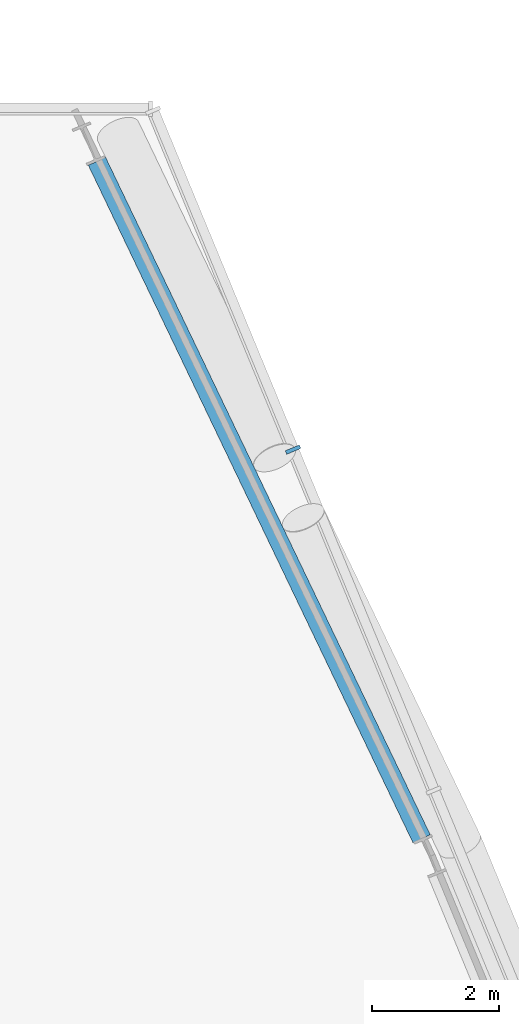
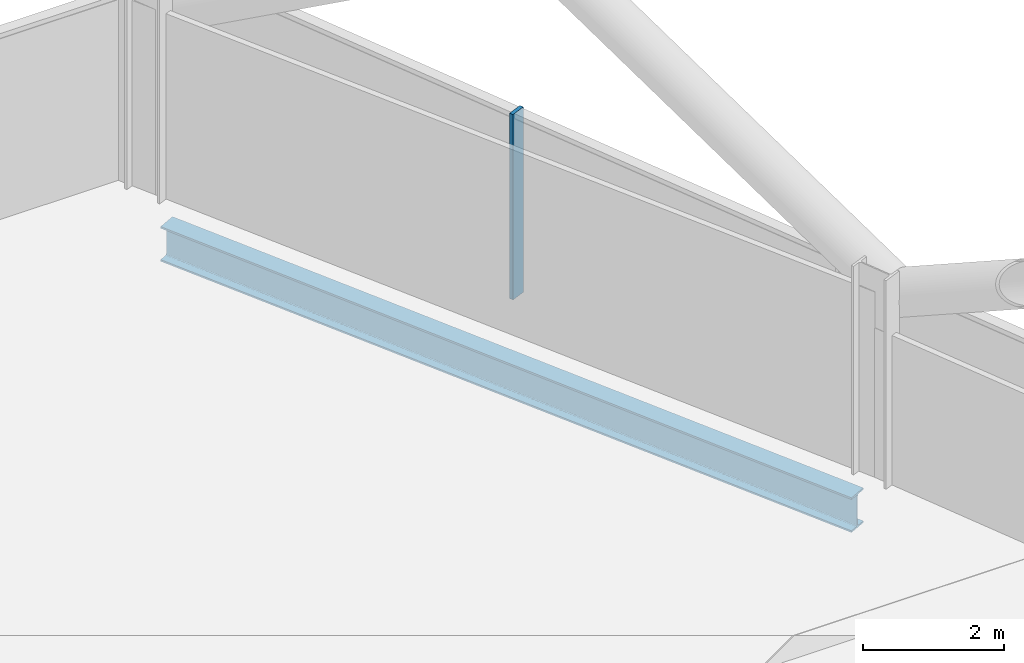
# One storey, part 12 of 29: 1 beam, 1 member, 1 element without a shape of its own.
"""IFC4 building model written with IfcOpenShell, lengths in metres."""

from ifc_helpers import new_model, si_unit, direction, frame, origin, origin_2d, place, context, subcontext, project, spatial, rectangle, i_section, extrude, material, material_profile, profile_set, type_object, element, aggregate, save


model = new_model("IFC4")

# Units and contexts
model_context = context("Model", 3, precision=1e-05, world=origin(), true_north=direction((0.0, 1.0)))
body_context = subcontext(model_context, "Body", "Model", "MODEL_VIEW")
ifc_project = project(units=[si_unit("LENGTHUNIT", "METRE"), si_unit("AREAUNIT", "SQUARE_METRE"), si_unit("VOLUMEUNIT", "CUBIC_METRE"), si_unit("PLANEANGLEUNIT", "RADIAN"), si_unit("MASSUNIT", "GRAM", prefix="KILO")], contexts=[model_context])

# Site, building, storey
site_placement = place(None, origin())
site = spatial("IfcSite", under=ifc_project, at=site_placement, CompositionType="ELEMENT")
building_placement = place(site_placement, origin())
building = spatial("IfcBuilding", under=site, at=building_placement, Name="Wharfspan Tower", CompositionType="ELEMENT")
storey_placement = place(building_placement, frame((0.0, 0.0, 162.699951)))
storey = spatial("IfcBuildingStorey", under=building, at=storey_placement, Name="L39", CompositionType="ELEMENT", Elevation=162.699951)

# Beam
ifc_material_1 = material(Name="Steel S355J2", Category="steel")
ifc_material_profile_1 = material_profile(ifc_material_1, i_section(OverallWidth=0.300049, OverallDepth=0.600098, WebThickness=0.015381, FlangeThickness=0.030029, FilletRadius=0.0271, at=origin_2d()))
ifc_profile_set_1 = profile_set([ifc_material_profile_1], Name="Steel S355J2")
beam_type = type_object("IfcBeamType", Name="Edge beam HEB 600", PredefinedType="SPANDREL", material=ifc_profile_set_1)
beam_placement = place(storey_placement, frame((73.721436, 30.495605, -0.699951), z_axis=(-0.432149, 0.901802, 0.0), x_axis=(-0.901802, -0.432149, 0.0)))
element("IfcBeam", 1, at=beam_placement, inside=storey, type_object=beam_type, Name="Edge beam L39 PE.2 to PE.3", PredefinedType="SPANDREL", context=body_context, shape_type="SweptSolid", body=[
    extrude(i_section(OverallWidth=0.300049, OverallDepth=0.600098, WebThickness=0.015381, FlangeThickness=0.030029, FilletRadius=0.0271, at=origin_2d()), origin(), (0.0, 0.0, 1.0), 11.841309),
])

# Curtain wall, member
ifc_material_2 = material(Name="Aluminium 6063-T6", Category="aluminium")
curtain_wall_type = type_object("IfcCurtainWallType", Name="CURTAIN WALL PROW AND END", PredefinedType="NOTDEFINED", material=ifc_material_2)
curtain_wall_placement = place(storey_placement, origin())
curtain_wall = element("IfcCurtainWall", 2, at=curtain_wall_placement, inside=storey, type_object=curtain_wall_type, Name="Curtain wall E", PredefinedType="NOTDEFINED")
ifc_material_profile_2 = material_profile(ifc_material_2, rectangle(XDim=0.23999, YDim=0.060059, at=origin_2d()))
ifc_profile_set_2 = profile_set([ifc_material_profile_2], Name="Aluminium 6063-T6")
member_type = type_object("IfcMemberType", Name="MULLION PROW AND END 60x240", PredefinedType="MULLION", material=ifc_profile_set_2)
member_placement = place(storey_placement, frame((71.69458, 36.628662, 0.0), z_axis=(0.0, 0.0, 1.0), x_axis=(-0.924325, -0.381602, 0.0)))
member = element("IfcMember", 3, at=member_placement, type_object=member_type, Name="Curtain wall E mullion 7", PredefinedType="MULLION", context=body_context, shape_type="SweptSolid", body=[
    extrude(rectangle(XDim=0.23999, YDim=0.060059, at=origin_2d()), origin(), (0.0, 0.0, 1.0), 3.199951),
])
aggregate(curtain_wall, [member])

save(model, "model.ifc")
